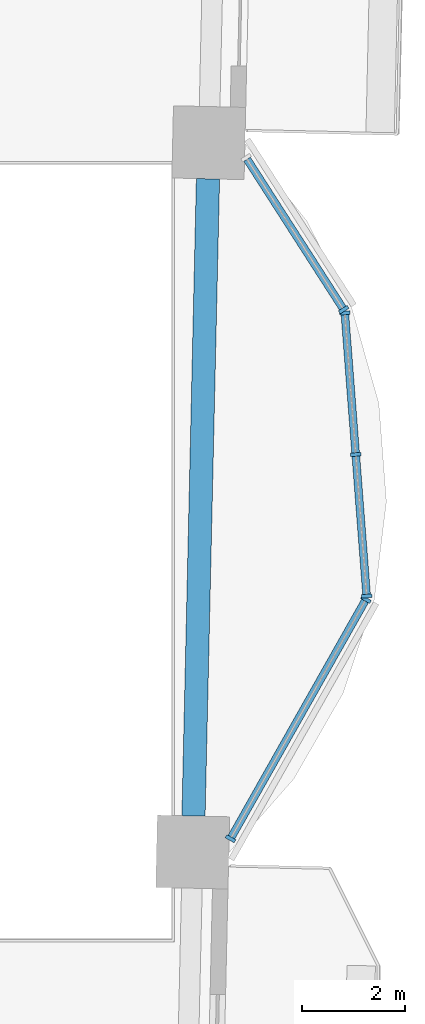
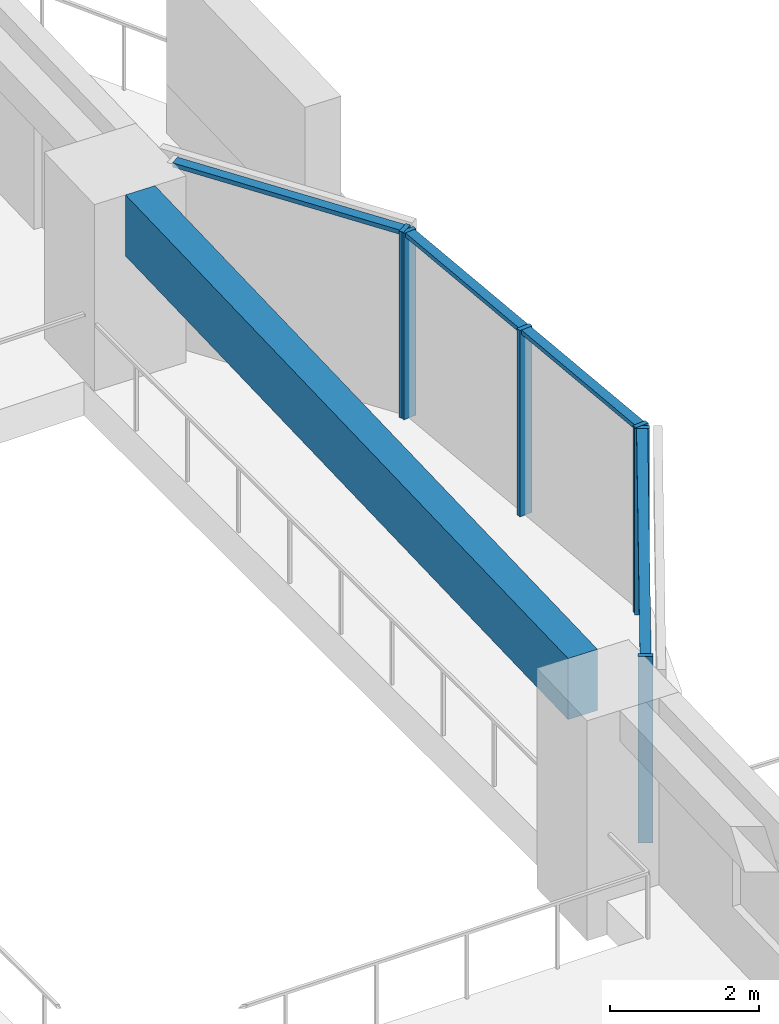
# One storey, part 2 of 16: 10 members, 1 beam, 3 elements without a shape of their own.
"""IFC4 building model written with IfcOpenShell, lengths in metres."""

from ifc_helpers import new_model, si_unit, direction, frame, origin, origin_2d, place, context, subcontext, project, spatial, rectangle, extrude, material, material_profile, profile_set, type_object, element, aggregate, save


model = new_model("IFC4")

# Units and contexts
model_context = context("Model", 3, precision=1e-05, world=origin(), true_north=direction((0.0, 1.0)))
body_context = subcontext(model_context, "Body", "Model", "MODEL_VIEW")
ifc_project = project(units=[si_unit("LENGTHUNIT", "METRE"), si_unit("AREAUNIT", "SQUARE_METRE"), si_unit("VOLUMEUNIT", "CUBIC_METRE"), si_unit("PLANEANGLEUNIT", "RADIAN"), si_unit("MASSUNIT", "GRAM", prefix="KILO")], contexts=[model_context])

# Site, building, storey
site_placement = place(None, origin())
site = spatial("IfcSite", under=ifc_project, at=site_placement, CompositionType="ELEMENT")
building_placement = place(site_placement, origin())
building = spatial("IfcBuilding", under=site, at=building_placement, Name="Mangrove Gate Tower", CompositionType="ELEMENT")
storey_placement = place(building_placement, frame((0.0, 0.0, 109.10009765625)))
storey = spatial("IfcBuildingStorey", under=building, at=storey_placement, Name="L27", CompositionType="ELEMENT", Elevation=109.10009765625)

# Curtain wall, members
ifc_material_1 = material(Name="Aluminium and glass curtain wall", Category="aluminium")
curtain_wall_type = type_object("IfcCurtainWallType", Name="Atrium garden-court glazing wall", PredefinedType="NOTDEFINED", material=ifc_material_1)
curtain_wall_1_placement = place(storey_placement, origin())
curtain_wall_1 = element("IfcCurtainWall", 1, at=curtain_wall_1_placement, inside=storey, type_object=curtain_wall_type, Name="Atrium garden-court glazing E1f1", PredefinedType="NOTDEFINED")
ifc_material_2 = material(Name="Aluminium alloy 6063-T6", Category="aluminium")
ifc_material_profile_1 = material_profile(ifc_material_2, rectangle(XDim=0.070068359375, YDim=0.199951171875, at=origin_2d()))
ifc_profile_set_1 = profile_set([ifc_material_profile_1], Name="Aluminium alloy 6063-T6")
member_type_1 = type_object("IfcMemberType", Name="Atrium garden-court glazing mullion 70x200", PredefinedType="MULLION", material=ifc_profile_set_1)
member_1_placement = place(storey_placement, frame((25.373779296875, -5.563232421875, 0.0), z_axis=(0.0, 0.0, 1.0), x_axis=(0.492584614745, 0.870264555935, 0.0)))
member_1 = element("IfcMember", 2, at=member_1_placement, type_object=member_type_1, Name="CWA mullion 1", PredefinedType="MULLION", context=body_context, shape_type="SweptSolid", body=[
    extrude(rectangle(XDim=0.070068359375, YDim=0.199951171875, at=origin_2d()), origin(), (0.0, 0.0, 1.0), 3.0498046875),
])
member_2_placement = place(storey_placement, frame((27.998291015625, -0.92626953125, 0.0), z_axis=(0.0, 0.0, 1.0), x_axis=(0.492584614745, 0.870264555935, 0.0)))
member_2 = element("IfcMember", 3, at=member_2_placement, type_object=member_type_1, Name="CWA mullion 2", PredefinedType="MULLION", context=body_context, shape_type="SweptSolid", body=[
    extrude(rectangle(XDim=0.070068359375, YDim=0.199951171875, at=origin_2d()), origin(), (0.0, 0.0, 1.0), 3.0498046875),
])

curtain_wall_2_placement = place(storey_placement, origin())
curtain_wall_2 = element("IfcCurtainWall", 4, at=curtain_wall_2_placement, inside=storey, type_object=curtain_wall_type, Name="Atrium garden-court glazing E1f2", PredefinedType="NOTDEFINED")
member_3_placement = place(storey_placement, frame((28.012939453125, -0.861083984375, 0.0), z_axis=(0.0, 0.0, 1.0), x_axis=(-0.077023348229, 0.997029289353, 0.0)))
member_3 = element("IfcMember", 5, at=member_3_placement, type_object=member_type_1, Name="CWA mullion 1", PredefinedType="MULLION", context=body_context, shape_type="SweptSolid", body=[
    extrude(rectangle(XDim=0.070068359375, YDim=0.199951171875, at=origin_2d()), origin(), (0.0, 0.0, 1.0), 3.0498046875),
])
member_4_placement = place(storey_placement, frame((27.801025390625, 1.882568359375, 0.0), z_axis=(0.0, 0.0, 1.0), x_axis=(-0.077023348229, 0.997029289353, 0.0)))
member_4 = element("IfcMember", 6, at=member_4_placement, type_object=member_type_1, Name="CWA mullion 2", PredefinedType="MULLION", context=body_context, shape_type="SweptSolid", body=[
    extrude(rectangle(XDim=0.070068359375, YDim=0.199951171875, at=origin_2d()), origin(), (0.0, 0.0, 1.0), 3.0498046875),
])
member_5_placement = place(storey_placement, frame((27.5888671875, 4.6259765625, 0.0), z_axis=(0.0, 0.0, 1.0), x_axis=(-0.077023348229, 0.997029289353, 0.0)))
member_5 = element("IfcMember", 7, at=member_5_placement, type_object=member_type_1, Name="CWA mullion 3", PredefinedType="MULLION", context=body_context, shape_type="SweptSolid", body=[
    extrude(rectangle(XDim=0.070068359375, YDim=0.199951171875, at=origin_2d()), origin(), (0.0, 0.0, 1.0), 3.0498046875),
])

# Curtain wall, member
curtain_wall_3_placement = place(storey_placement, origin())
curtain_wall_3 = element("IfcCurtainWall", 8, at=curtain_wall_3_placement, inside=storey, type_object=curtain_wall_type, Name="Atrium garden-court glazing E1f3", PredefinedType="NOTDEFINED")
member_6_placement = place(storey_placement, frame((27.5673828125, 4.6904296875, 0.0), z_axis=(0.0, 0.0, 1.0), x_axis=(-0.540510523896, 0.841337253162, 0.0)))
member_6 = element("IfcMember", 9, at=member_6_placement, type_object=member_type_1, Name="CWA mullion 1", PredefinedType="MULLION", context=body_context, shape_type="SweptSolid", body=[
    extrude(rectangle(XDim=0.070068359375, YDim=0.199951171875, at=origin_2d()), origin(), (0.0, 0.0, 1.0), 3.0498046875),
])

# Member
ifc_material_3 = material(Name="Aluminium alloy 6063-T6", Category="aluminium")
ifc_material_profile_2 = material_profile(ifc_material_3, rectangle(XDim=0.070068359375, YDim=0.14990234375, at=origin_2d()))
ifc_profile_set_2 = profile_set([ifc_material_profile_2], Name="Aluminium alloy 6063-T6")
member_type_2 = type_object("IfcMemberType", Name="Atrium garden-court glazing transom 70x150", PredefinedType="USERDEFINED", material=ifc_profile_set_2)
member_7_placement = place(storey_placement, frame((25.39111328125, -5.53271484375, 3.014892578125), z_axis=(0.492554428347, 0.870281641261, 0.0), x_axis=(0.0, 0.0, 1.0)))
member_7 = element("IfcMember", 10, at=member_7_placement, type_object=member_type_2, Name="CWA transom 1.2", ObjectType="TRANSOM", PredefinedType="USERDEFINED", context=body_context, shape_type="SweptSolid", body=[
    extrude(rectangle(XDim=0.070068359375, YDim=0.14990234375, at=origin_2d()), origin(), (0.0, 0.0, 1.0), 5.258056640625),
])

aggregate(curtain_wall_1, [member_1, member_2, member_7])

member_8_placement = place(storey_placement, frame((28.01025390625, -0.826171875, 3.014892578125), z_axis=(-0.07701672858, 0.997029800718, 0.0), x_axis=(0.0, 0.0, 1.0)))
member_8 = element("IfcMember", 11, at=member_8_placement, type_object=member_type_2, Name="CWA transom 1.2", ObjectType="TRANSOM", PredefinedType="USERDEFINED", context=body_context, shape_type="SweptSolid", body=[
    extrude(rectangle(XDim=0.070068359375, YDim=0.14990234375, at=origin_2d()), origin(), (0.0, 0.0, 1.0), 2.681884765625),
])

member_9_placement = place(storey_placement, frame((27.798095703125, 1.91748046875, 3.014892578125), z_axis=(-0.07701672858, 0.997029800718, 0.0), x_axis=(0.0, 0.0, 1.0)))
member_9 = element("IfcMember", 12, at=member_9_placement, type_object=member_type_2, Name="CWA transom 2.2", ObjectType="TRANSOM", PredefinedType="USERDEFINED", context=body_context, shape_type="SweptSolid", body=[
    extrude(rectangle(XDim=0.070068359375, YDim=0.14990234375, at=origin_2d()), origin(), (0.0, 0.0, 1.0), 2.681884765625),
])

aggregate(curtain_wall_2, [member_3, member_4, member_5, member_8, member_9])

member_10_placement = place(storey_placement, frame((27.54833984375, 4.719970703125, 3.014892578125), z_axis=(-0.540487632005, 0.841351959438, 0.0), x_axis=(0.0, 0.0, 1.0)))
member_10 = element("IfcMember", 13, at=member_10_placement, type_object=member_type_2, Name="CWA transom 1.2", ObjectType="TRANSOM", PredefinedType="USERDEFINED", context=body_context, shape_type="SweptSolid", body=[
    extrude(rectangle(XDim=0.070068359375, YDim=0.14990234375, at=origin_2d()), origin(), (0.0, 0.0, 1.0), 3.428466796875),
])

aggregate(curtain_wall_3, [member_6, member_10])

# Beam
ifc_material_4 = material(Name="Concrete C50/60", Category="concrete")
ifc_material_profile_3 = material_profile(ifc_material_4, rectangle(XDim=0.449951171875, YDim=1.0, at=origin_2d()))
ifc_profile_set_3 = profile_set([ifc_material_profile_3], Name="Concrete C50/60")
beam_type = type_object("IfcBeamType", Name="Edge beam RC 450x1000 C50/60", PredefinedType="BEAM", material=ifc_profile_set_3)
beam_placement = place(storey_placement, frame((24.656982421875, -5.122314453125, 2.5498046875), z_axis=(0.022693116457, 0.999742478074, 0.0), x_axis=(-0.999742478074, 0.022693116457, 0.0)))
element("IfcBeam", 14, at=beam_placement, inside=storey, type_object=beam_type, Name="Edge beam L27 15", PredefinedType="BEAM", context=body_context, shape_type="SweptSolid", body=[
    extrude(rectangle(XDim=0.449951171875, YDim=1.0, at=origin_2d()), origin(), (0.0, 0.0, 1.0), 12.3505859375),
])

save(model, "model.ifc")
